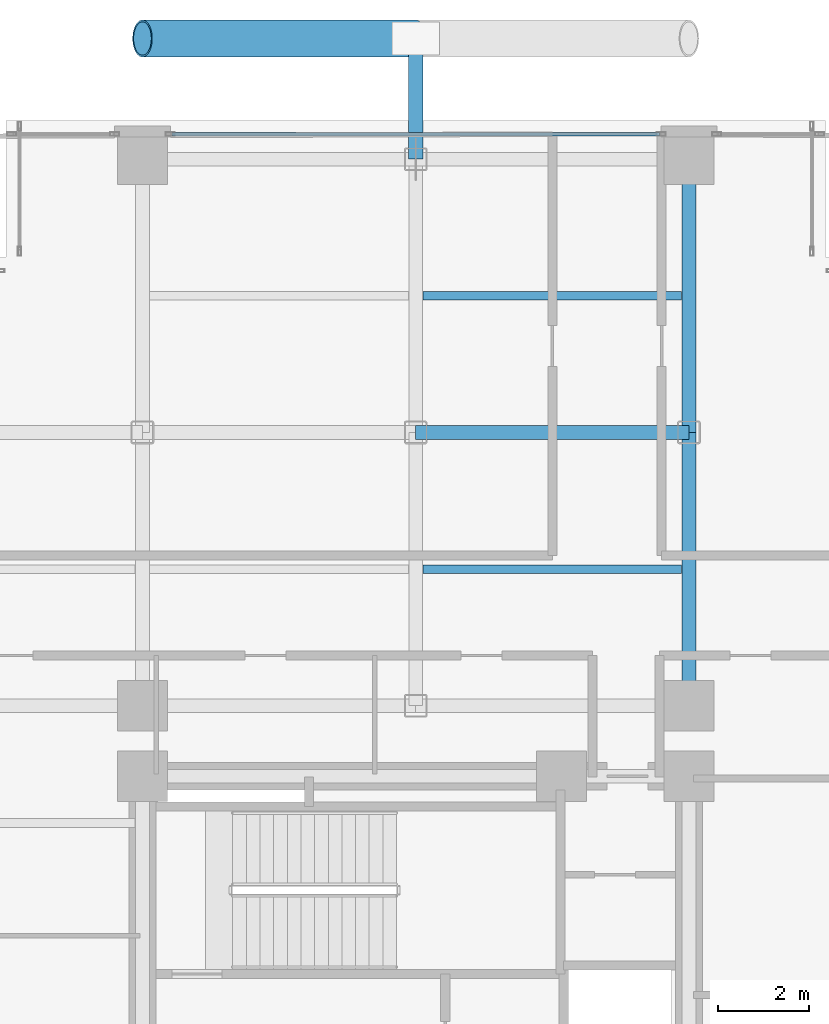
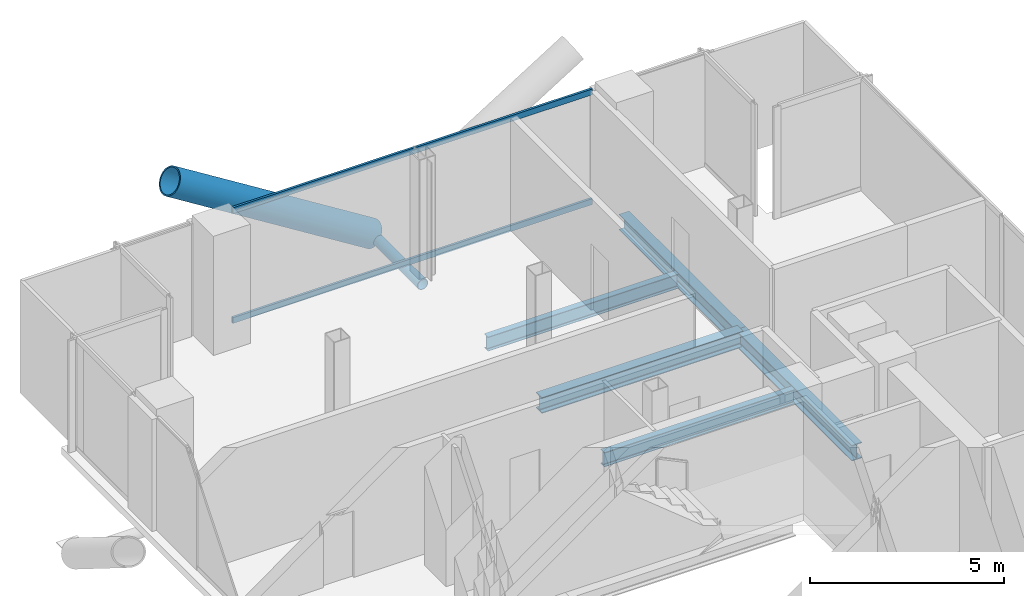
# One storey, part 15 of 24: 5 beams, 4 members, 1 element without a shape of its own.
"""IFC4 building model written with IfcOpenShell, lengths in metres."""

from ifc_helpers import new_model, si_unit, direction, frame, origin, origin_2d, place, context, subcontext, project, spatial, hollow_rectangle, hollow_circle, i_section, extrude, material, layer, layer_set, material_profile, profile_set, type_object, element, aggregate, save


model = new_model("IFC4")

# Units and contexts
model_context = context("Model", 3, precision=1e-05, world=origin(), true_north=direction((0.0, 1.0)))
body_context = subcontext(model_context, "Body", "Model", "MODEL_VIEW")
ifc_project = project(units=[si_unit("LENGTHUNIT", "METRE"), si_unit("AREAUNIT", "SQUARE_METRE"), si_unit("VOLUMEUNIT", "CUBIC_METRE"), si_unit("PLANEANGLEUNIT", "RADIAN"), si_unit("MASSUNIT", "GRAM", prefix="KILO"), si_unit("THERMODYNAMICTEMPERATUREUNIT", "KELVIN"), si_unit("POWERUNIT", "WATT")], contexts=[model_context])

# Site, building, storey
site_placement = place(None, origin())
site = spatial("IfcSite", under=ifc_project, at=site_placement, CompositionType="ELEMENT")
building_placement = place(site_placement, origin())
building = spatial("IfcBuilding", under=site, at=building_placement, Name="Svarakhadi Broadcast Tower", CompositionType="ELEMENT")
storey_placement = place(building_placement, frame((0.0, 0.0, 145.64990234375)))
storey = spatial("IfcBuildingStorey", under=building, at=storey_placement, Name="L35", CompositionType="ELEMENT", Elevation=145.64990234375)

# Beams
ifc_material_1 = material(Name="Steel S355J2 (IS 2062 E350C)", Category="steel")
ifc_material_profile_1 = material_profile(ifc_material_1, i_section(OverallWidth=0.18994140625, OverallDepth=0.449951171875, WebThickness=0.009521484375, FlangeThickness=0.0146484375, FilletRadius=0.02099609375, at=origin_2d()), Name="NPB 450x190x78")
ifc_profile_set_1 = profile_set([ifc_material_profile_1], Name="Steel S355J2 (IS 2062 E350C)")
beam_type_1 = type_object("IfcBeamType", Name="Beam_NPB450", PredefinedType="BEAM", material=ifc_profile_set_1)
for number, where, z_axis, x_axis, name in (
    (1, (12.159912109375, 32.14990234375, -0.449951171875), (1.0, 0.0, 0.0), (0.0, 1.0, 0.0), "L35 Secondary Composite Beam SB014"),
    (2, (12.159912109375, 38.14990234375, -0.449951171875), (1.0, 0.0, 0.0), (0.0, 1.0, 0.0), "L35 Secondary Composite Beam SB015"),
):
    element("IfcBeam", number, at=place(storey_placement, frame(where, z_axis=z_axis, x_axis=x_axis)), inside=storey, type_object=beam_type_1, Name=name, PredefinedType="BEAM", context=body_context, shape_type="SweptSolid", body=[
        extrude(i_section(OverallWidth=0.18994140625, OverallDepth=0.449951171875, WebThickness=0.009521484375, FlangeThickness=0.0146484375, FilletRadius=0.02099609375, at=origin_2d()), origin(), (0.0, 0.0, 1.0), 5.68017578125),
    ])

# Curtain wall, members
ifc_material_2 = material(Name="Anodised Bronze Aluminium AA 6063-T6", Category="aluminium")
ifc_layer = layer(ifc_material_2, 0.199951171875)
ifc_layer_set = layer_set([ifc_layer], Name="Anodised Bronze Aluminium AA 6063-T6")
curtain_wall_type = type_object("IfcCurtainWallType", Name="CW_Sys_03", PredefinedType="NOTDEFINED", material=ifc_layer_set)
curtain_wall_placement = place(storey_placement, origin())
curtain_wall = element("IfcCurtainWall", 3, at=curtain_wall_placement, inside=storey, type_object=curtain_wall_type, Name="L35 Unitised Facade Curtain Wall 06 Bay 2", PredefinedType="NOTDEFINED")
ifc_material_profile_2 = material_profile(ifc_material_2, hollow_rectangle(XDim=0.070068359375, YDim=0.18505859375, WallThickness=0.0048828125, at=origin_2d()), Name="ALU TRANSOM 185x70x5")
ifc_profile_set_2 = profile_set([ifc_material_profile_2], Name="Anodised Bronze Aluminium AA 6063-T6")
member_type_1 = type_object("IfcMemberType", Name="CW_Sys_03_Trn", PredefinedType="USERDEFINED", material=ifc_profile_set_2)
member_1_placement = place(storey_placement, frame((6.64501953125, 41.699951171875, 0.03515625), z_axis=(1.0, 0.0, 0.0), x_axis=(0.0, 1.0, 0.0)))
member_1 = element("IfcMember", 4, at=member_1_placement, type_object=member_type_1, Name="CW-03 transom 1.1", ObjectType="TRANSOM", PredefinedType="USERDEFINED", context=body_context, shape_type="SweptSolid", body=[
    extrude(hollow_rectangle(XDim=0.070068359375, YDim=0.18505859375, WallThickness=0.0048828125, at=origin_2d()), origin(), (0.0, 0.0, 1.0), 10.7099609375),
])
member_2_placement = place(storey_placement, frame((6.64501953125, 41.699951171875, 3.489990234375), z_axis=(1.0, 0.0, 0.0), x_axis=(0.0, 1.0, 0.0)))
member_2 = element("IfcMember", 5, at=member_2_placement, type_object=member_type_1, Name="CW-03 transom 1.2", ObjectType="TRANSOM", PredefinedType="USERDEFINED", context=body_context, shape_type="SweptSolid", body=[
    extrude(hollow_rectangle(XDim=0.070068359375, YDim=0.18505859375, WallThickness=0.0048828125, at=origin_2d()), origin(), (0.0, 0.0, 1.0), 10.7099609375),
])
aggregate(curtain_wall, [member_1, member_2])

# Members
ifc_material_3 = material(Name="Steel S460ML (IS 2062 E450BR)", Category="steel")
ifc_material_profile_3 = material_profile(ifc_material_3, hollow_circle(Radius=0.406494140625, WallThickness=0.0400390625, at=origin_2d()), Name="CHS 813x40")
ifc_profile_set_3 = profile_set([ifc_material_profile_3], Name="Steel S460ML (IS 2062 E450BR)")
member_type_2 = type_object("IfcMemberType", Name="Exo_Brace_CHS813", PredefinedType="BRACE", material=ifc_profile_set_3)
member_3_placement = place(storey_placement, frame((12.0, 43.800048828125, -0.386962890625), z_axis=(-0.847998304005, 0.0, 0.529998940003), x_axis=(0.0, -1.0, 0.0)))
element("IfcMember", 6, at=member_3_placement, inside=storey, type_object=member_type_2, Name="L35 Exposed Bronze Exoskeleton Diagonal N08", PredefinedType="BRACE", context=body_context, shape_type="SweptSolid", body=[
    extrude(hollow_circle(Radius=0.406494140625, WallThickness=0.0400390625, at=origin_2d()), origin(), (0.0, 0.0, 1.0), 7.075439453125),
])
ifc_material_profile_4 = material_profile(ifc_material_3, hollow_circle(Radius=0.161865234375, WallThickness=0.01611328125, at=origin_2d()), Name="CHS 323.9x16")
ifc_profile_set_4 = profile_set([ifc_material_profile_4], Name="Steel S460ML (IS 2062 E450BR)")
member_type_3 = type_object("IfcMemberType", Name="Exo_Radial_Strut_Z2", PredefinedType="STRUT", material=ifc_profile_set_4)
member_4_placement = place(storey_placement, frame((12.0, 43.800048828125, -0.386962890625), z_axis=(0.0, -1.0, 0.0), x_axis=(1.0, 0.0, 0.0)))
element("IfcMember", 7, at=member_4_placement, inside=storey, type_object=member_type_3, Name="L35 Exoskeleton Radial Tie Strut N06", PredefinedType="STRUT", context=body_context, shape_type="SweptSolid", body=[
    extrude(hollow_circle(Radius=0.161865234375, WallThickness=0.01611328125, at=origin_2d()), origin(), (0.0, 0.0, 1.0), 2.650146484375),
])

# Beams
ifc_material_profile_5 = material_profile(ifc_material_1, i_section(OverallWidth=0.300048828125, OverallDepth=0.5, WebThickness=0.014404296875, FlangeThickness=0.028076171875, FilletRadius=0.027099609375, at=origin_2d()), Name="WPB 500x300x187")
ifc_profile_set_5 = profile_set([ifc_material_profile_5], Name="Steel S355J2 (IS 2062 E350C)")
beam_type_2 = type_object("IfcBeamType", Name="Girder_WPB500", PredefinedType="USERDEFINED", material=ifc_profile_set_5)
for number, where, z_axis, x_axis, name in (
    (8, (12.0, 35.14990234375, -0.474853515625), (1.0, 0.0, 0.0), (0.0, 1.0, 0.0), "L35 Primary E-W Girder G037"),
    (9, (18.0, 29.14990234375, -0.474853515625), (0.0, 1.0, 0.0), (-1.0, 0.0, 0.0), "L35 Primary N-S Girder G060"),
    (10, (18.0, 35.14990234375, -0.474853515625), (0.0, 1.0, 0.0), (-1.0, 0.0, 0.0), "L35 Primary N-S Girder G061"),
):
    element("IfcBeam", number, at=place(storey_placement, frame(where, z_axis=z_axis, x_axis=x_axis)), inside=storey, type_object=beam_type_2, Name=name, ObjectType="GIRDER", PredefinedType="USERDEFINED", context=body_context, shape_type="SweptSolid", body=[
        extrude(i_section(OverallWidth=0.300048828125, OverallDepth=0.5, WebThickness=0.014404296875, FlangeThickness=0.028076171875, FilletRadius=0.027099609375, at=origin_2d()), origin(), (0.0, 0.0, 1.0), 6.0),
    ])

save(model, "model.ifc")
